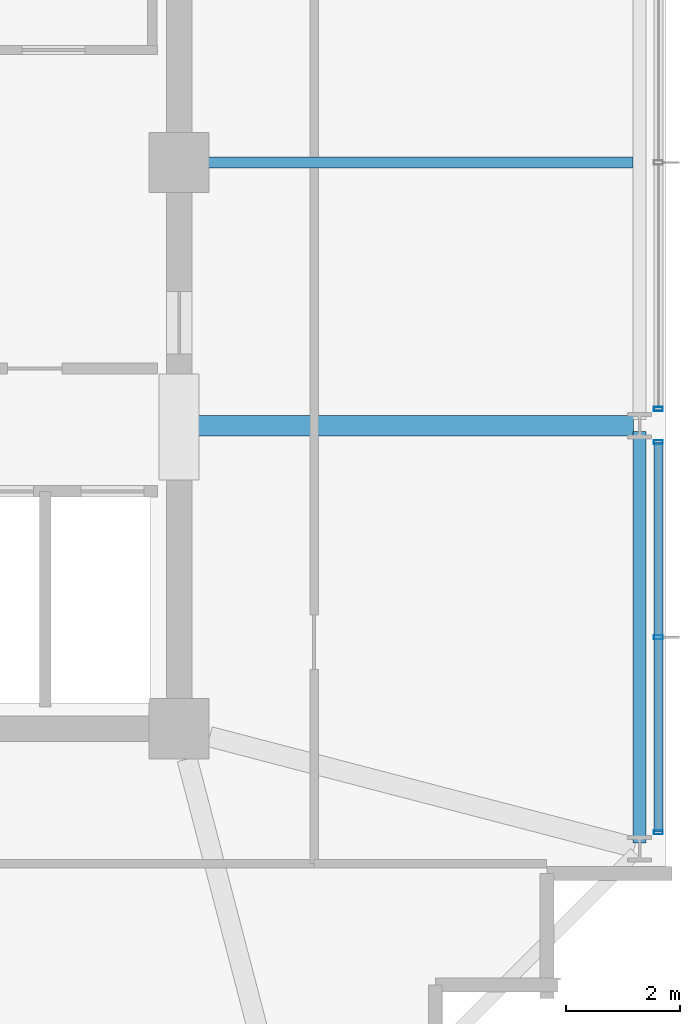
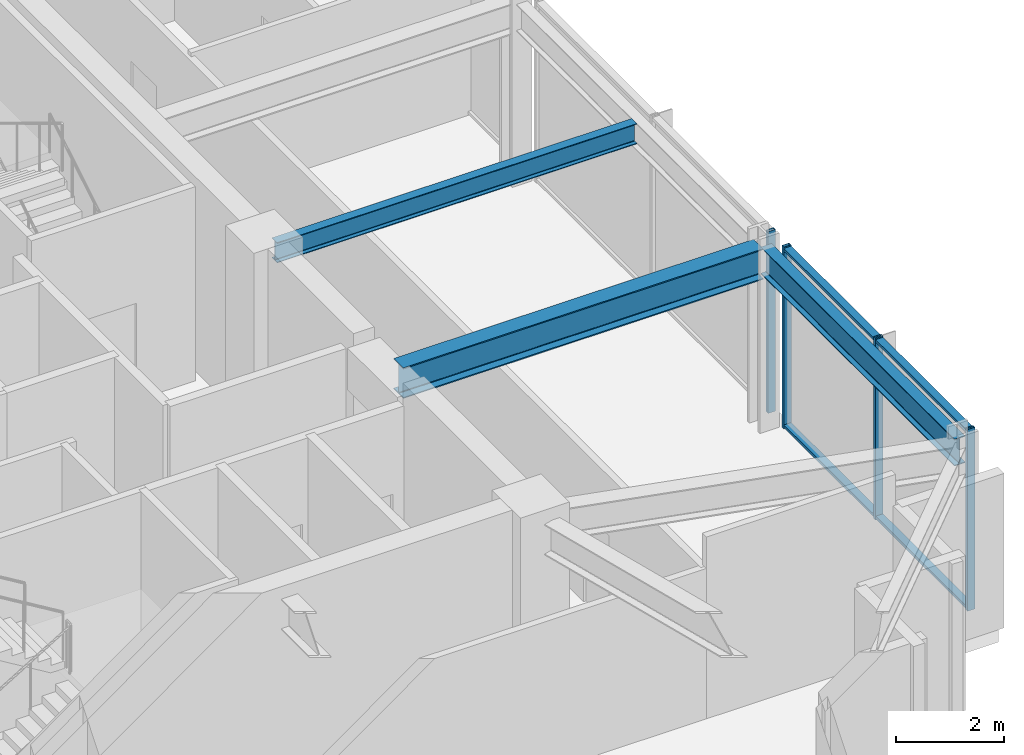
# One storey, part 11 of 26: 6 members, 3 beams, 2 elements without a shape of their own.
"""IFC4 building model written with IfcOpenShell, lengths in metres."""

from ifc_helpers import new_model, si_unit, direction, frame, origin, origin_2d, place, context, subcontext, project, spatial, hollow_rectangle, i_section, extrude, material, material_profile, profile_set, type_object, element, aggregate, save


model = new_model("IFC4")

# Units and contexts
model_context = context("Model", 3, precision=1e-05, world=origin(), true_north=direction((0.0, 1.0)))
body_context = subcontext(model_context, "Body", "Model", "MODEL_VIEW")
ifc_project = project(units=[si_unit("LENGTHUNIT", "METRE"), si_unit("AREAUNIT", "SQUARE_METRE"), si_unit("VOLUMEUNIT", "CUBIC_METRE"), si_unit("PLANEANGLEUNIT", "RADIAN"), si_unit("MASSUNIT", "GRAM", prefix="KILO")], contexts=[model_context])

# Site, building, storey
site_placement = place(None, origin())
site = spatial("IfcSite", under=ifc_project, at=site_placement, CompositionType="ELEMENT")
building_placement = place(site_placement, origin())
building = spatial("IfcBuilding", under=site, at=building_placement, Name="Kolvaren Belvedere", CompositionType="ELEMENT")
storey_placement = place(building_placement, frame((0.0, 0.0, 258.39990234375)))
storey = spatial("IfcBuildingStorey", under=building, at=storey_placement, Name="L75", CompositionType="ELEMENT", Elevation=258.39990234375)

# Beams
ifc_material_1 = material(Name="Structural steel ASTM A992 Grade 50", Category="steel")
ifc_material_profile_1 = material_profile(ifc_material_1, i_section(OverallWidth=0.35498046875, OverallDepth=0.696044921875, WebThickness=0.015380859375, FlangeThickness=0.02490234375, FilletRadius=0.02197265625, at=origin_2d()), Name="W27X146")
ifc_profile_set_1 = profile_set([ifc_material_profile_1], Name="Structural steel ASTM A992 Grade 50")
beam_type_1 = type_object("IfcBeamType", Name="BM-GIRD-W27X146", PredefinedType="BEAM", material=ifc_profile_set_1)
beam_1_placement = place(storey_placement, frame((10.125, -4.60009765625, 3.772216796875), z_axis=(1.0, 0.0, 0.0), x_axis=(0.0, 1.0, 0.0)))
element("IfcBeam", 1, at=beam_1_placement, inside=storey, type_object=beam_type_1, Name="L75 East Radial Girder M", PredefinedType="BEAM", context=body_context, shape_type="SweptSolid", body=[
    extrude(i_section(OverallWidth=0.35498046875, OverallDepth=0.696044921875, WebThickness=0.015380859375, FlangeThickness=0.02490234375, FilletRadius=0.02197265625, at=origin_2d()), origin(), (0.0, 0.0, 1.0), 7.720458984375),
])
ifc_material_2 = material(Name="Structural steel ASTM A992 Grade 50", Category="steel")
ifc_material_profile_2 = material_profile(ifc_material_2, i_section(OverallWidth=0.19091796875, OverallDepth=0.4599609375, WebThickness=0.010009765625, FlangeThickness=0.01611328125, FilletRadius=0.014892578125, at=origin_2d()), Name="W18X55")
ifc_profile_set_2 = profile_set([ifc_material_profile_2], Name="Structural steel ASTM A992 Grade 50")
beam_type_2 = type_object("IfcBeamType", Name="BM-JOIST-W18X55", PredefinedType="BEAM", material=ifc_profile_set_2)
beam_2_placement = place(storey_placement, frame((10.125, 0.0, 3.89013671875), z_axis=(1.0, 0.0, 0.0), x_axis=(0.0, 1.0, 0.0)))
element("IfcBeam", 2, at=beam_2_placement, inside=storey, type_object=beam_type_2, Name="L75 East Centre Floor Beam", PredefinedType="BEAM", context=body_context, shape_type="SweptSolid", body=[
    extrude(i_section(OverallWidth=0.19091796875, OverallDepth=0.4599609375, WebThickness=0.010009765625, FlangeThickness=0.01611328125, FilletRadius=0.014892578125, at=origin_2d()), origin(), (0.0, 0.0, 1.0), 7.71044921875),
])
ifc_material_3 = material(Name="Structural steel ASTM A992 Grade 50", Category="steel")
ifc_material_profile_3 = material_profile(ifc_material_3, i_section(OverallWidth=0.22900390625, OverallDepth=0.612060546875, WebThickness=0.011962890625, FlangeThickness=0.01953125, FilletRadius=0.01806640625, at=origin_2d()), Name="W24X84")
ifc_profile_set_3 = profile_set([ifc_material_profile_3], Name="Structural steel ASTM A992 Grade 50")
beam_type_3 = type_object("IfcBeamType", Name="BM-SPAN-W24X84", PredefinedType="SPANDREL", material=ifc_profile_set_3)
beam_3_placement = place(storey_placement, frame((17.949951171875, -11.8955078125, 3.814208984375), z_axis=(0.0, 1.0, 0.0), x_axis=(-1.0, 0.0, 0.0)))
element("IfcBeam", 3, at=beam_3_placement, inside=storey, type_object=beam_type_3, Name="L75 Perimeter Spandrel E1-E2", PredefinedType="SPANDREL", context=body_context, shape_type="SweptSolid", body=[
    extrude(i_section(OverallWidth=0.22900390625, OverallDepth=0.612060546875, WebThickness=0.011962890625, FlangeThickness=0.01953125, FilletRadius=0.01806640625, at=origin_2d()), origin(), (0.0, 0.0, 1.0), 7.19091796875),
])

# Curtain wall, member
ifc_material_4 = material(Name="Anodised pale-metal aluminium AA 6063-T6", Category="aluminium")
curtain_wall_type = type_object("IfcCurtainWallType", Name="CW-CRN-OBS", PredefinedType="NOTDEFINED", material=ifc_material_4)
curtain_wall_1_placement = place(storey_placement, origin())
curtain_wall_1 = element("IfcCurtainWall", 4, at=curtain_wall_1_placement, inside=storey, type_object=curtain_wall_type, Name="L75 Unitised Curtain Wall FCW-L75-E-B2", PredefinedType="NOTDEFINED")
ifc_material_5 = material(Name="Anodised pale-metal aluminium AA 6063-T6", Category="aluminium")
ifc_material_profile_4 = material_profile(ifc_material_5, hollow_rectangle(XDim=0.074951171875, YDim=0.159912109375, WallThickness=0.00439453125, at=origin_2d()), Name="ALU-MUL-160X75")
ifc_profile_set_4 = profile_set([ifc_material_profile_4], Name="Anodised pale-metal aluminium AA 6063-T6")
member_type_1 = type_object("IfcMemberType", Name="CW-MUL-160", PredefinedType="MULLION", material=ifc_profile_set_4)
member_1_placement = place(storey_placement, frame((18.280029296875, -4.31005859375, 0.0), z_axis=(0.0, 0.0, 1.0), x_axis=(0.0, 1.0, 0.0)))
member_1 = element("IfcMember", 5, at=member_1_placement, type_object=member_type_1, Name="FCW-L75-E-B2 Unitised Mullion 3", PredefinedType="MULLION", context=body_context, shape_type="SweptSolid", body=[
    extrude(hollow_rectangle(XDim=0.074951171875, YDim=0.159912109375, WallThickness=0.00439453125, at=origin_2d()), origin(), (0.0, 0.0, 1.0), 4.1201171875),
])
aggregate(curtain_wall_1, [member_1])

# Curtain wall, members
curtain_wall_2_placement = place(storey_placement, origin())
curtain_wall_2 = element("IfcCurtainWall", 6, at=curtain_wall_2_placement, inside=storey, type_object=curtain_wall_type, Name="L75 Unitised Curtain Wall FCW-L75-E-B3", PredefinedType="NOTDEFINED")
member_2_placement = place(storey_placement, frame((18.280029296875, -4.889892578125, 0.0), z_axis=(0.0, 0.0, 1.0), x_axis=(0.0, 1.0, 0.0)))
member_2 = element("IfcMember", 7, at=member_2_placement, type_object=member_type_1, Name="FCW-L75-E-B3 Unitised Mullion 1", PredefinedType="MULLION", context=body_context, shape_type="SweptSolid", body=[
    extrude(hollow_rectangle(XDim=0.074951171875, YDim=0.159912109375, WallThickness=0.00439453125, at=origin_2d()), origin(), (0.0, 0.0, 1.0), 4.1201171875),
])
member_3_placement = place(storey_placement, frame((18.280029296875, -8.300048828125, 0.0), z_axis=(0.0, 0.0, 1.0), x_axis=(0.0, 1.0, 0.0)))
member_3 = element("IfcMember", 8, at=member_3_placement, type_object=member_type_1, Name="FCW-L75-E-B3 Unitised Mullion 2", PredefinedType="MULLION", context=body_context, shape_type="SweptSolid", body=[
    extrude(hollow_rectangle(XDim=0.074951171875, YDim=0.159912109375, WallThickness=0.00439453125, at=origin_2d()), origin(), (0.0, 0.0, 1.0), 4.1201171875),
])
member_4_placement = place(storey_placement, frame((18.280029296875, -11.7099609375, 0.0), z_axis=(0.0, 0.0, 1.0), x_axis=(0.0, 1.0, 0.0)))
member_4 = element("IfcMember", 9, at=member_4_placement, type_object=member_type_1, Name="FCW-L75-E-B3 Unitised Mullion 3", PredefinedType="MULLION", context=body_context, shape_type="SweptSolid", body=[
    extrude(hollow_rectangle(XDim=0.074951171875, YDim=0.159912109375, WallThickness=0.00439453125, at=origin_2d()), origin(), (0.0, 0.0, 1.0), 4.1201171875),
])
ifc_material_6 = material(Name="Anodised pale-metal aluminium AA 6063-T6", Category="aluminium")
ifc_material_profile_5 = material_profile(ifc_material_6, hollow_rectangle(XDim=0.06494140625, YDim=0.159912109375, WallThickness=0.00390625, at=origin_2d()), Name="ALU-TRN-160X65")
ifc_profile_set_5 = profile_set([ifc_material_profile_5], Name="Anodised pale-metal aluminium AA 6063-T6")
member_type_2 = type_object("IfcMemberType", Name="CW-TRN-160", PredefinedType="USERDEFINED", material=ifc_profile_set_5)
member_5_placement = place(storey_placement, frame((18.280029296875, -4.889892578125, 0.06005859375), z_axis=(0.0, -1.0, 0.0), x_axis=(0.0, 0.0, 1.0)))
member_5 = element("IfcMember", 10, at=member_5_placement, type_object=member_type_2, Name="FCW-L75-E-B3 Sill Transom", ObjectType="TRANSOM", PredefinedType="USERDEFINED", context=body_context, shape_type="SweptSolid", body=[
    extrude(hollow_rectangle(XDim=0.06494140625, YDim=0.159912109375, WallThickness=0.00390625, at=origin_2d()), origin(), (0.0, 0.0, 1.0), 6.820068359375),
])
member_6_placement = place(storey_placement, frame((18.280029296875, -4.889892578125, 4.06005859375), z_axis=(0.0, -1.0, 0.0), x_axis=(0.0, 0.0, 1.0)))
member_6 = element("IfcMember", 11, at=member_6_placement, type_object=member_type_2, Name="FCW-L75-E-B3 Head Transom", ObjectType="TRANSOM", PredefinedType="USERDEFINED", context=body_context, shape_type="SweptSolid", body=[
    extrude(hollow_rectangle(XDim=0.06494140625, YDim=0.159912109375, WallThickness=0.00390625, at=origin_2d()), origin(), (0.0, 0.0, 1.0), 6.820068359375),
])
aggregate(curtain_wall_2, [member_2, member_3, member_4, member_5, member_6])

save(model, "model.ifc")
